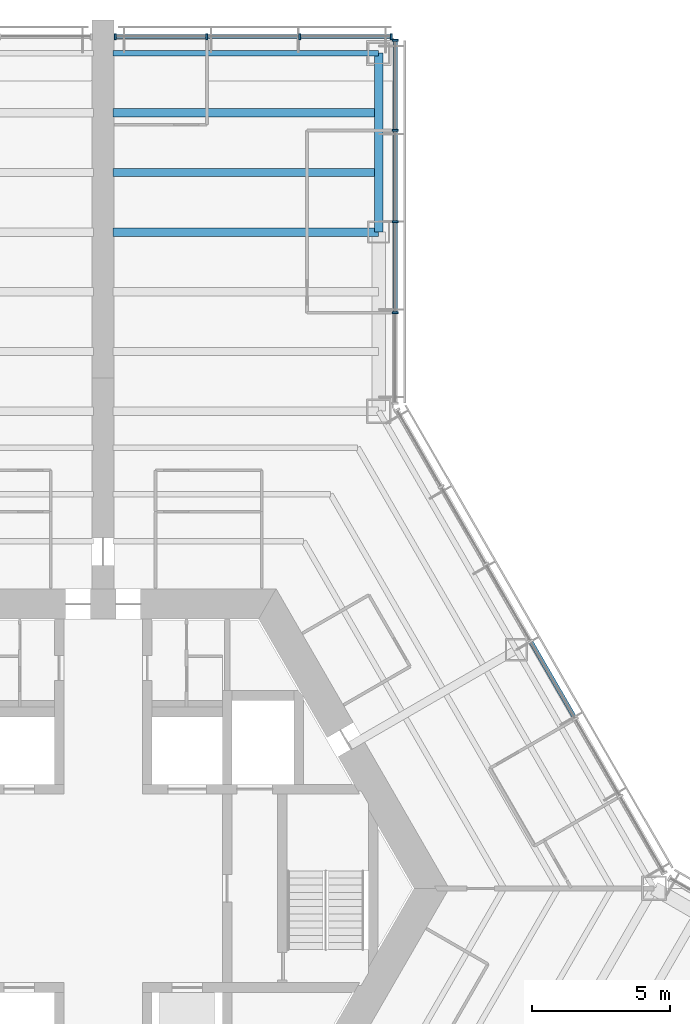
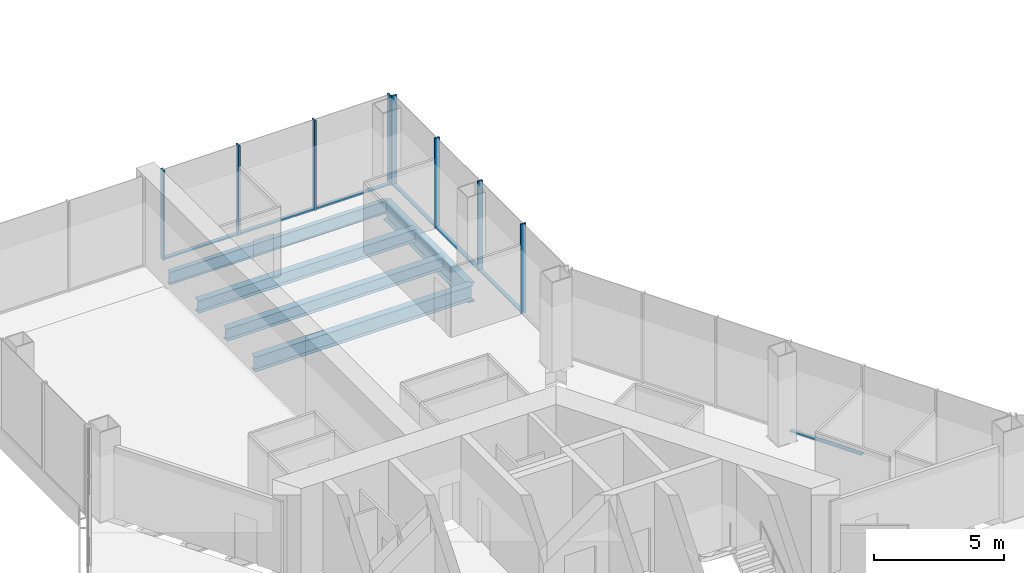
# One storey, part 7 of 18: 15 members, 5 beams, 3 elements without a shape of their own.
"""IFC4 building model written with IfcOpenShell, lengths in metres."""

from ifc_helpers import new_model, si_unit, direction, frame, origin, origin_2d, place, context, subcontext, project, spatial, rectangle, i_section, extrude, material, material_profile, profile_set, type_object, element, aggregate, save


model = new_model("IFC4")

# Units and contexts
model_context = context("Model", 3, precision=1e-05, world=origin(), true_north=direction((0.0, 1.0)))
body_context = subcontext(model_context, "Body", "Model", "MODEL_VIEW")
ifc_project = project(units=[si_unit("LENGTHUNIT", "METRE"), si_unit("AREAUNIT", "SQUARE_METRE"), si_unit("VOLUMEUNIT", "CUBIC_METRE"), si_unit("PLANEANGLEUNIT", "RADIAN"), si_unit("MASSUNIT", "GRAM", prefix="KILO")], contexts=[model_context])

# Site, building, storey
site_placement = place(None, origin())
site = spatial("IfcSite", under=ifc_project, at=site_placement, CompositionType="ELEMENT")
building_placement = place(site_placement, origin())
building = spatial("IfcBuilding", under=site, at=building_placement, Name="Kasaneha Research Tower", CompositionType="ELEMENT")
storey_placement = place(building_placement, frame((0.0, 0.0, 57.0)))
storey = spatial("IfcBuildingStorey", under=building, at=storey_placement, Name="L14", CompositionType="ELEMENT", Elevation=57.0)

# Beams
ifc_material_1 = material(Name="Steel SN490B", Category="steel")
ifc_material_profile_1 = material_profile(ifc_material_1, i_section(OverallWidth=0.300048828125, OverallDepth=0.58203125, WebThickness=0.011962890625, FlangeThickness=0.01708984375, FilletRadius=0.012939453125, at=origin_2d()), Name="H-582x300x12x17")
ifc_profile_set_1 = profile_set([ifc_material_profile_1], Name="Steel SN490B")
beam_type_1 = type_object("IfcBeamType", Name="B2-4 secondary beam H-582x300x12x17", PredefinedType="JOIST", material=ifc_profile_set_1)
for number, where, z_axis, x_axis, name in (
    (1, (10.0, 25.987060546875, -0.4609375), (-1.0, 0.0, 0.0), (0.0, -1.0, 0.0), "Secondary beam WBAP3 L14"),
    (2, (10.0, 28.15380859375, -0.4609375), (-1.0, 0.0, 0.0), (0.0, -1.0, 0.0), "Secondary beam WBAP4 L14"),
):
    element("IfcBeam", number, at=place(storey_placement, frame(where, z_axis=z_axis, x_axis=x_axis)), inside=storey, type_object=beam_type_1, Name=name, PredefinedType="JOIST", context=body_context, shape_type="SweptSolid", body=[
        extrude(i_section(OverallWidth=0.300048828125, OverallDepth=0.58203125, WebThickness=0.011962890625, FlangeThickness=0.01708984375, FilletRadius=0.012939453125, at=origin_2d()), origin(), (0.0, 0.0, 1.0), 9.64990234375),
    ])

# Curtain wall, members
ifc_material_2 = material(Name="Glass and aluminium", Category="aluminium")
curtain_wall_type = type_object("IfcCurtainWallType", Name="Sky lobby curtain wall", PredefinedType="USERDEFINED", material=ifc_material_2)
curtain_wall_1_placement = place(storey_placement, origin())
curtain_wall_1 = element("IfcCurtainWall", 3, at=curtain_wall_1_placement, inside=storey, type_object=curtain_wall_type, Name="CW-S L14 run 08a", ObjectType="UNITISED CURTAIN WALL", PredefinedType="USERDEFINED")
ifc_material_3 = material(Name="Aluminium 6063-T6", Category="aluminium")
ifc_material_profile_2 = material_profile(ifc_material_3, rectangle(XDim=0.070068359375, YDim=0.219970703125, at=origin_2d()), Name="CW-S mullion 70x220")
ifc_profile_set_2 = profile_set([ifc_material_profile_2], Name="Aluminium 6063-T6")
member_type_1 = type_object("IfcMemberType", Name="CW-S mullion", PredefinedType="MULLION", material=ifc_profile_set_2)
member_1_placement = place(storey_placement, frame((10.60009765625, 20.89111328125, 0.0), z_axis=(0.0, 0.0, 1.0), x_axis=(0.0, 1.0, 0.0)))
member_1 = element("IfcMember", 4, at=member_1_placement, type_object=member_type_1, Name="CW-S mullion 2", PredefinedType="MULLION", context=body_context, shape_type="SweptSolid", body=[
    extrude(rectangle(XDim=0.070068359375, YDim=0.219970703125, at=origin_2d()), origin(), (0.0, 0.0, 1.0), 4.199951171875),
])
member_2_placement = place(storey_placement, frame((10.60009765625, 24.200927734375, 0.0), z_axis=(0.0, 0.0, 1.0), x_axis=(0.0, 1.0, 0.0)))
member_2 = element("IfcMember", 5, at=member_2_placement, type_object=member_type_1, Name="CW-S mullion 3", PredefinedType="MULLION", context=body_context, shape_type="SweptSolid", body=[
    extrude(rectangle(XDim=0.070068359375, YDim=0.219970703125, at=origin_2d()), origin(), (0.0, 0.0, 1.0), 4.199951171875),
])
member_3_placement = place(storey_placement, frame((10.60009765625, 27.5107421875, 0.0), z_axis=(0.0, 0.0, 1.0), x_axis=(0.0, 1.0, 0.0)))
member_3 = element("IfcMember", 6, at=member_3_placement, type_object=member_type_1, Name="CW-S mullion 4", PredefinedType="MULLION", context=body_context, shape_type="SweptSolid", body=[
    extrude(rectangle(XDim=0.070068359375, YDim=0.219970703125, at=origin_2d()), origin(), (0.0, 0.0, 1.0), 4.199951171875),
])
member_4_placement = place(storey_placement, frame((10.60009765625, 30.785400390625, 0.0), z_axis=(0.0, 0.0, 1.0), x_axis=(0.0, 1.0, 0.0)))
member_4 = element("IfcMember", 7, at=member_4_placement, type_object=member_type_1, Name="CW-S mullion 5", PredefinedType="MULLION", context=body_context, shape_type="SweptSolid", body=[
    extrude(rectangle(XDim=0.070068359375, YDim=0.219970703125, at=origin_2d()), origin(), (0.0, 0.0, 1.0), 4.199951171875),
])

curtain_wall_2_placement = place(storey_placement, origin())
curtain_wall_2 = element("IfcCurtainWall", 8, at=curtain_wall_2_placement, inside=storey, type_object=curtain_wall_type, Name="CW-S L14 run 09a", ObjectType="UNITISED CURTAIN WALL", PredefinedType="USERDEFINED")
member_5_placement = place(storey_placement, frame((10.465087890625, 30.92041015625, 0.0), z_axis=(0.0, 0.0, 1.0), x_axis=(-1.0, 0.0, 0.0)))
member_5 = element("IfcMember", 9, at=member_5_placement, type_object=member_type_1, Name="CW-S mullion 1", PredefinedType="MULLION", context=body_context, shape_type="SweptSolid", body=[
    extrude(rectangle(XDim=0.070068359375, YDim=0.219970703125, at=origin_2d()), origin(), (0.0, 0.0, 1.0), 4.199951171875),
])
member_6_placement = place(storey_placement, frame((7.13330078125, 30.92041015625, 0.0), z_axis=(0.0, 0.0, 1.0), x_axis=(-1.0, 0.0, 0.0)))
member_6 = element("IfcMember", 10, at=member_6_placement, type_object=member_type_1, Name="CW-S mullion 2", PredefinedType="MULLION", context=body_context, shape_type="SweptSolid", body=[
    extrude(rectangle(XDim=0.070068359375, YDim=0.219970703125, at=origin_2d()), origin(), (0.0, 0.0, 1.0), 4.199951171875),
])
member_7_placement = place(storey_placement, frame((3.7666015625, 30.92041015625, 0.0), z_axis=(0.0, 0.0, 1.0), x_axis=(-1.0, 0.0, 0.0)))
member_7 = element("IfcMember", 11, at=member_7_placement, type_object=member_type_1, Name="CW-S mullion 3", PredefinedType="MULLION", context=body_context, shape_type="SweptSolid", body=[
    extrude(rectangle(XDim=0.070068359375, YDim=0.219970703125, at=origin_2d()), origin(), (0.0, 0.0, 1.0), 4.199951171875),
])
member_8_placement = place(storey_placement, frame((0.43505859375, 30.92041015625, 0.0), z_axis=(0.0, 0.0, 1.0), x_axis=(-1.0, 0.0, 0.0)))
member_8 = element("IfcMember", 12, at=member_8_placement, type_object=member_type_1, Name="CW-S mullion 4", PredefinedType="MULLION", context=body_context, shape_type="SweptSolid", body=[
    extrude(rectangle(XDim=0.070068359375, YDim=0.219970703125, at=origin_2d()), origin(), (0.0, 0.0, 1.0), 4.199951171875),
])

# Curtain wall, member
curtain_wall_3_placement = place(storey_placement, origin())
curtain_wall_3 = element("IfcCurtainWall", 13, at=curtain_wall_3_placement, inside=storey, type_object=curtain_wall_type, Name="CW-S L14 run 07a", ObjectType="UNITISED CURTAIN WALL", PredefinedType="USERDEFINED")
ifc_material_4 = material(Name="Aluminium 6063-T6", Category="aluminium")
ifc_material_profile_3 = material_profile(ifc_material_4, rectangle(XDim=0.159912109375, YDim=0.070068359375, at=origin_2d()), Name="CW-S transom 160x70")
ifc_profile_set_3 = profile_set([ifc_material_profile_3], Name="Aluminium 6063-T6")
member_type_2 = type_object("IfcMemberType", Name="CW-S transom", PredefinedType="USERDEFINED", material=ifc_profile_set_3)
member_9_placement = place(storey_placement, frame((17.125244140625, 6.17919921875, 0.034912109375), z_axis=(-0.499999683919, 0.866025586274, 0.0), x_axis=(-0.866025586274, -0.499999683919, 0.0)))
member_9 = element("IfcMember", 14, at=member_9_placement, type_object=member_type_2, Name="CW-S transom 3", ObjectType="TRANSOM", PredefinedType="USERDEFINED", context=body_context, shape_type="SweptSolid", body=[
    extrude(rectangle(XDim=0.159912109375, YDim=0.070068359375, at=origin_2d()), origin(), (0.0, 0.0, 1.0), 3.17626953125),
])
aggregate(curtain_wall_3, [member_9])

# Member
member_10_placement = place(storey_placement, frame((10.60009765625, 20.926025390625, 0.034912109375), z_axis=(0.0, 1.0, 0.0), x_axis=(-1.0, 0.0, 0.0)))
member_10 = element("IfcMember", 15, at=member_10_placement, type_object=member_type_2, Name="CW-S transom 2", ObjectType="TRANSOM", PredefinedType="USERDEFINED", context=body_context, shape_type="SweptSolid", body=[
    extrude(rectangle(XDim=0.159912109375, YDim=0.070068359375, at=origin_2d()), origin(), (0.0, 0.0, 1.0), 3.23974609375),
])

member_11_placement = place(storey_placement, frame((10.60009765625, 24.23583984375, 0.034912109375), z_axis=(0.0, 1.0, 0.0), x_axis=(-1.0, 0.0, 0.0)))
member_11 = element("IfcMember", 16, at=member_11_placement, type_object=member_type_2, Name="CW-S transom 3", ObjectType="TRANSOM", PredefinedType="USERDEFINED", context=body_context, shape_type="SweptSolid", body=[
    extrude(rectangle(XDim=0.159912109375, YDim=0.070068359375, at=origin_2d()), origin(), (0.0, 0.0, 1.0), 3.23974609375),
])

member_12_placement = place(storey_placement, frame((10.60009765625, 27.545654296875, 0.034912109375), z_axis=(0.0, 1.0, 0.0), x_axis=(-1.0, 0.0, 0.0)))
member_12 = element("IfcMember", 17, at=member_12_placement, type_object=member_type_2, Name="CW-S transom 4", ObjectType="TRANSOM", PredefinedType="USERDEFINED", context=body_context, shape_type="SweptSolid", body=[
    extrude(rectangle(XDim=0.159912109375, YDim=0.070068359375, at=origin_2d()), origin(), (0.0, 0.0, 1.0), 3.204833984375),
])

aggregate(curtain_wall_1, [member_1, member_2, member_3, member_4, member_10, member_11, member_12])

member_13_placement = place(storey_placement, frame((10.429931640625, 30.92041015625, 0.034912109375), z_axis=(-1.0, 0.0, 0.0), x_axis=(0.0, -1.0, 0.0)))
member_13 = element("IfcMember", 18, at=member_13_placement, type_object=member_type_2, Name="CW-S transom 1", ObjectType="TRANSOM", PredefinedType="USERDEFINED", context=body_context, shape_type="SweptSolid", body=[
    extrude(rectangle(XDim=0.159912109375, YDim=0.070068359375, at=origin_2d()), origin(), (0.0, 0.0, 1.0), 3.26171875),
])

member_14_placement = place(storey_placement, frame((7.098388671875, 30.92041015625, 0.034912109375), z_axis=(-1.0, 0.0, 0.0), x_axis=(0.0, -1.0, 0.0)))
member_14 = element("IfcMember", 19, at=member_14_placement, type_object=member_type_2, Name="CW-S transom 2", ObjectType="TRANSOM", PredefinedType="USERDEFINED", context=body_context, shape_type="SweptSolid", body=[
    extrude(rectangle(XDim=0.159912109375, YDim=0.070068359375, at=origin_2d()), origin(), (0.0, 0.0, 1.0), 3.296630859375),
])

member_15_placement = place(storey_placement, frame((3.731689453125, 30.92041015625, 0.034912109375), z_axis=(-1.0, 0.0, 0.0), x_axis=(0.0, -1.0, 0.0)))
member_15 = element("IfcMember", 20, at=member_15_placement, type_object=member_type_2, Name="CW-S transom 3", ObjectType="TRANSOM", PredefinedType="USERDEFINED", context=body_context, shape_type="SweptSolid", body=[
    extrude(rectangle(XDim=0.159912109375, YDim=0.070068359375, at=origin_2d()), origin(), (0.0, 0.0, 1.0), 3.26171875),
])

aggregate(curtain_wall_2, [member_5, member_6, member_7, member_8, member_13, member_14, member_15])

# Beams
ifc_material_5 = material(Name="Steel SN490B", Category="steel")
ifc_material_profile_4 = material_profile(ifc_material_5, i_section(OverallWidth=0.300048828125, OverallDepth=0.699951171875, WebThickness=0.012939453125, FlangeThickness=0.02392578125, FilletRadius=0.01806640625, at=origin_2d()), Name="H-700x300x13x24")
ifc_profile_set_4 = profile_set([ifc_material_profile_4], Name="Steel SN490B")
beam_type_2 = type_object("IfcBeamType", Name="G4-4 wing girder H-700x300x13x24", PredefinedType="BEAM", material=ifc_profile_set_4)
beam_1_placement = place(storey_placement, frame((10.0, 23.820556640625, -0.52001953125), z_axis=(-1.0, 0.0, 0.0), x_axis=(0.0, -1.0, 0.0)))
element("IfcBeam", 21, at=beam_1_placement, inside=storey, type_object=beam_type_2, Name="Wing girder WGAP L14", PredefinedType="BEAM", context=body_context, shape_type="SweptSolid", body=[
    extrude(i_section(OverallWidth=0.300048828125, OverallDepth=0.699951171875, WebThickness=0.012939453125, FlangeThickness=0.02392578125, FilletRadius=0.01806640625, at=origin_2d()), origin(), (0.0, 0.0, 1.0), 9.64990234375),
])
ifc_material_6 = material(Name="Steel SN490B", Category="steel")
ifc_material_profile_5 = material_profile(ifc_material_6, i_section(OverallWidth=0.300048828125, OverallDepth=0.89990234375, WebThickness=0.01611328125, FlangeThickness=0.028076171875, FilletRadius=0.01806640625, at=origin_2d()), Name="H-900x300x16x28")
ifc_profile_set_5 = profile_set([ifc_material_profile_5], Name="Steel SN490B")
beam_type_3 = type_object("IfcBeamType", Name="SB2-4 spandrel beam H-900x300x16x28", PredefinedType="SPANDREL", material=ifc_profile_set_5)
beam_2_placement = place(storey_placement, frame((10.0, 23.820556640625, -0.6201171875), z_axis=(0.0, 1.0, 0.0), x_axis=(-1.0, 0.0, 0.0)))
element("IfcBeam", 22, at=beam_2_placement, inside=storey, type_object=beam_type_3, Name="Spandrel beam WSAP2 L14", PredefinedType="SPANDREL", context=body_context, shape_type="SweptSolid", body=[
    extrude(i_section(OverallWidth=0.300048828125, OverallDepth=0.89990234375, WebThickness=0.01611328125, FlangeThickness=0.028076171875, FilletRadius=0.01806640625, at=origin_2d()), origin(), (0.0, 0.0, 1.0), 6.5),
])
ifc_material_7 = material(Name="Steel SN490B", Category="steel")
ifc_material_profile_6 = material_profile(ifc_material_7, i_section(OverallWidth=0.199951171875, OverallDepth=0.60009765625, WebThickness=0.010986328125, FlangeThickness=0.01708984375, FilletRadius=0.012939453125, at=origin_2d()), Name="H-600x200x11x17")
ifc_profile_set_6 = profile_set([ifc_material_profile_6], Name="Steel SN490B")
beam_type_4 = type_object("IfcBeamType", Name="SB3-4 spandrel beam H-600x200x11x17", PredefinedType="SPANDREL", material=ifc_profile_set_6)
beam_3_placement = place(storey_placement, frame((10.0, 30.320556640625, -0.469970703125), z_axis=(-1.0, 0.0, 0.0), x_axis=(0.0, -1.0, 0.0)))
element("IfcBeam", 23, at=beam_3_placement, inside=storey, type_object=beam_type_4, Name="Spandrel beam WTAP L14", PredefinedType="SPANDREL", context=body_context, shape_type="SweptSolid", body=[
    extrude(i_section(OverallWidth=0.199951171875, OverallDepth=0.60009765625, WebThickness=0.010986328125, FlangeThickness=0.01708984375, FilletRadius=0.012939453125, at=origin_2d()), origin(), (0.0, 0.0, 1.0), 9.64990234375),
])

save(model, "model.ifc")
